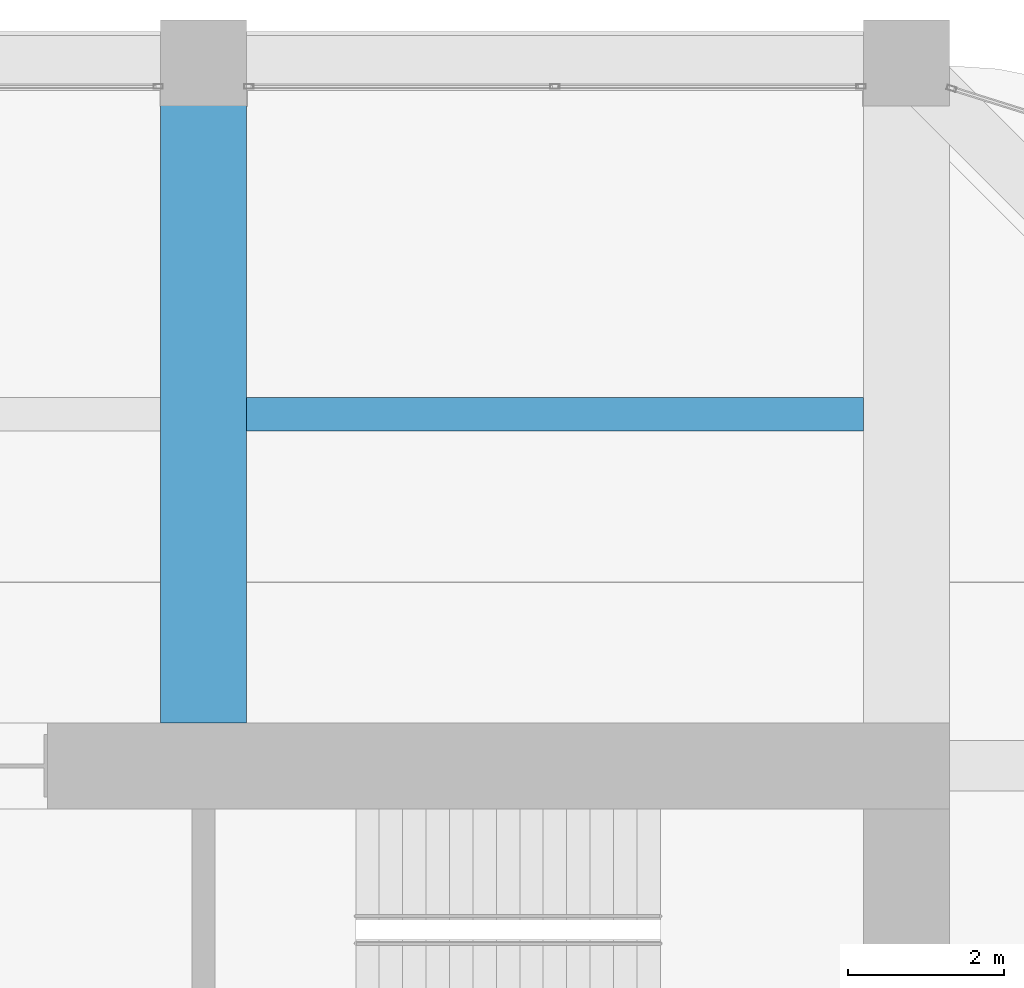
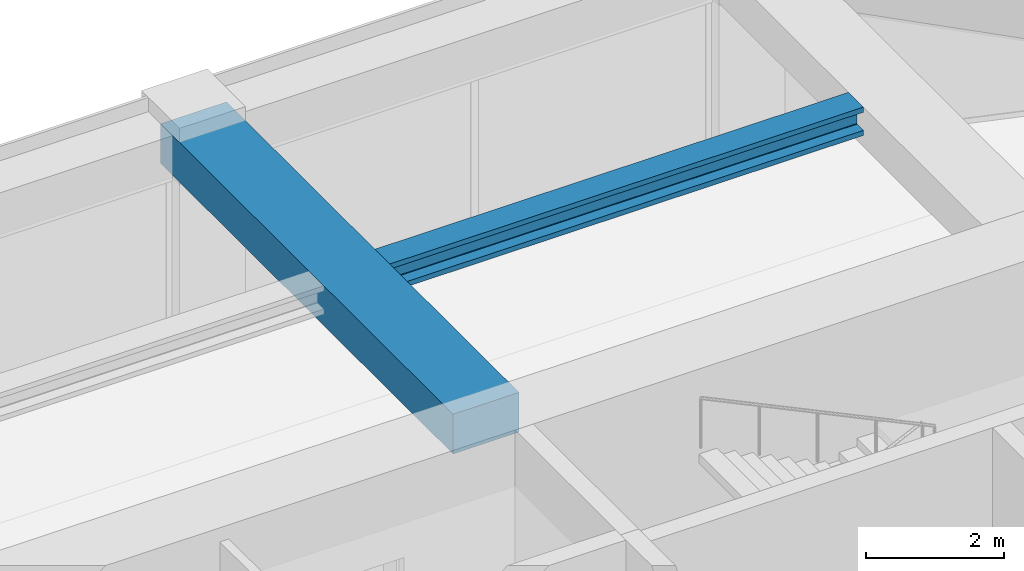
# One storey, part 34 of 45: 2 beams.
"""IFC4 building model written with IfcOpenShell, lengths in metres."""

import ifcopenshell
import ifcopenshell.guid

model = None  # the IFC model being written
_history = None  # IfcOwnerHistory: only IFC2X3 demands one
_inside = {}  # id of a spatial element -> (the spatial element, [elements in it])
_under = {}  # id of a project, library or spatial element -> (it, [spatial elements below it])
_declared = {}  # id of a project -> (the project, [libraries it declares])
_typed = {}  # id of a type object -> (the type object, [elements of that type])
_made_of = {}  # id of a material, layer set ... -> (it, [elements and type objects made of it])


def new_model(schema):
    """Start an empty IFC model of exactly this schema.

    Asked for "IFC4X3", IfcOpenShell would pick the latest addendum, in which some entities
    have other attributes; the version numbers below select the first issue.
    IFC2X3 requires an IfcOwnerHistory on every rooted entity: one is made here for all.
    """
    global model, _history
    if schema == "IFC4X3":
        model = ifcopenshell.file(schema_version=(4, 3, 0, 0))
    else:
        model = ifcopenshell.file(schema=schema)
    _inside.clear()
    _under.clear()
    _declared.clear()
    _typed.clear()
    _made_of.clear()
    _history = None
    if model.schema == "IFC2X3":
        org = make("IfcOrganization", Name="unknown")
        user = make(
            "IfcPersonAndOrganization",
            ThePerson=make("IfcPerson", FamilyName="unknown"),
            TheOrganization=org,
        )
        app = make(
            "IfcApplication",
            ApplicationDeveloper=org,
            Version="unknown",
            ApplicationFullName="unknown",
            ApplicationIdentifier="unknown",
        )
        _history = make(
            "IfcOwnerHistory",
            OwningUser=user,
            OwningApplication=app,
            ChangeAction="ADDED",
            CreationDate=0,
        )
    return model


def make(cls, **values):
    """One entity of the class cls with the attributes given. An attribute that is None is left unset."""
    return model.create_entity(
        cls, **{name: value for name, value in values.items() if value is not None}
    )


def rooted(cls, **values):
    """An entity with a GlobalId (a new one), such as an element, a storey or a relation."""
    return make(cls, GlobalId=ifcopenshell.guid.new(), OwnerHistory=_history, **values)


def si_unit(unit_type, name, prefix=None):
    """IfcSIUnit, for example si_unit("LENGTHUNIT", "METRE", prefix="MILLI")."""
    return make("IfcSIUnit", UnitType=unit_type, Prefix=prefix, Name=name)


def assignment(units):
    """IfcUnitAssignment: the units of a project."""
    return None if units is None else make("IfcUnitAssignment", Units=units)


def point(xyz):
    """IfcCartesianPoint."""
    return None if xyz is None else make("IfcCartesianPoint", Coordinates=xyz)


def direction(xyz):
    """IfcDirection."""
    return None if xyz is None else make("IfcDirection", DirectionRatios=xyz)


def frame(location, z_axis=None, x_axis=None):
    """IfcAxis2Placement3D, a coordinate frame: its origin and axes. An axis left out is left unset."""
    return make(
        "IfcAxis2Placement3D",
        Location=point(location),
        Axis=direction(z_axis),
        RefDirection=direction(x_axis),
    )


def frame_2d(location, x_axis=None):
    """IfcAxis2Placement2D, a coordinate frame in the plane: its origin and x axis."""
    return make(
        "IfcAxis2Placement2D", Location=point(location), RefDirection=direction(x_axis)
    )


def origin():
    """The frame at (0, 0, 0) with its axes left unset."""
    return frame((0.0, 0.0, 0.0))


def origin_2d():
    """The frame at (0, 0) in the plane with its x axis left unset."""
    return frame_2d((0.0, 0.0))


def place(relative_to, where):
    """IfcLocalPlacement: puts the frame where relative to a parent placement (None: the world)."""
    return make(
        "IfcLocalPlacement", PlacementRelTo=relative_to, RelativePlacement=where
    )


def context(
    kind, dimensions, precision=None, world=None, true_north=None, identifier=None
):
    """IfcGeometricRepresentationContext, for example the 3D "Model" context."""
    return make(
        "IfcGeometricRepresentationContext",
        ContextIdentifier=identifier,
        ContextType=kind,
        CoordinateSpaceDimension=dimensions,
        Precision=precision,
        WorldCoordinateSystem=world,
        TrueNorth=true_north,
    )


def subcontext(parent, identifier, kind, view, scale=None):
    """IfcGeometricRepresentationSubContext, for example "Body" below "Model"."""
    return make(
        "IfcGeometricRepresentationSubContext",
        ContextIdentifier=identifier,
        ContextType=kind,
        ParentContext=parent,
        TargetScale=scale,
        TargetView=view,
    )


def project(units=None, contexts=None):
    """IfcProject with its units and contexts."""
    return rooted(
        "IfcProject",
        Name="project",
        RepresentationContexts=contexts,
        UnitsInContext=assignment(units),
    )


def spatial(cls, under=None, at=None, **own):
    """A site, building, storey or space (cls), placed at a placement, below another one or the project."""
    s = rooted(cls, ObjectPlacement=at, **own)
    if under is not None:
        _under.setdefault(under.id(), (under, []))[1].append(s)
    return s


def profile(cls, at=None, kind="AREA", **sizes):
    """A parametric profile (cls). Its sizes go by their IFC names, for example OverallWidth=200.0."""
    return make(cls, ProfileType=kind, Position=at, **sizes)


def rectangle(**sizes):
    """IfcRectangleProfileDef."""
    return profile("IfcRectangleProfileDef", **sizes)


def i_section(**sizes):
    """IfcIShapeProfileDef."""
    return profile("IfcIShapeProfileDef", **sizes)


def extrude(swept, where, along, depth):
    """IfcExtrudedAreaSolid: the profile swept, set in the frame where, extruded along a direction by depth."""
    return make(
        "IfcExtrudedAreaSolid",
        SweptArea=swept,
        Position=where,
        ExtrudedDirection=direction(along),
        Depth=depth,
    )


def shape(context_of_items, identifier, shape_type, items):
    """IfcShapeRepresentation: the items that make up one representation, for example the "Body"."""
    return make(
        "IfcShapeRepresentation",
        ContextOfItems=context_of_items,
        RepresentationIdentifier=identifier,
        RepresentationType=shape_type,
        Items=items,
    )


def material(Name=None, Category=None):
    """IfcMaterial."""
    return make("IfcMaterial", Name=Name, Category=Category)


def material_profile(
    of_material, cross_section, Name=None, Category=None, Priority=None
):
    """IfcMaterialProfile: a cross section and its material."""
    return make(
        "IfcMaterialProfile",
        Name=Name,
        Material=of_material,
        Profile=cross_section,
        Priority=Priority,
        Category=Category,
    )


def profile_set(profiles, Name=None, composite=None):
    """IfcMaterialProfileSet."""
    return make(
        "IfcMaterialProfileSet",
        Name=Name,
        MaterialProfiles=profiles,
        CompositeProfile=composite,
    )


def made_of(thing, what):
    """Note that an element or type object is made of a material, layer set ...; save() writes the relation."""
    if what is not None:
        _made_of.setdefault(what.id(), (what, []))[1].append(thing)
    return thing


def type_object(cls, material=None, **own):
    """A type object (cls), such as IfcWallType, which elements share."""
    return made_of(rooted(cls, **own), material)


def element(
    cls,
    number,
    at=None,
    inside=None,
    cuts=None,
    type_object=None,
    material=None,
    context=None,
    identifier="Body",
    shape_type=None,
    held_by="IfcProductDefinitionShape",
    body=None,
    shapes=None,
    **own,
):
    """One element of the class cls, such as IfcWall. Its Tag is "e" and its number.

    at: its placement. inside: the storey or other place that contains it. cuts: it is an
    opening in that element (IfcRelVoidsElement). A single representation is given by context,
    identifier, shape_type and body (its items); several are given by shapes. held_by: the class
    of the entity that holds the representations. save() writes the other relations.
    """
    e = rooted(cls, Tag="e%d" % number, ObjectPlacement=at, **own)
    if body is not None:
        shapes = [shape(context, identifier, shape_type, body)]
    if shapes is not None:
        e.Representation = make(held_by, Representations=shapes)
    if inside is not None:
        _inside.setdefault(inside.id(), (inside, []))[1].append(e)
    if cuts is not None:
        rooted(
            "IfcRelVoidsElement", RelatingBuildingElement=cuts, RelatedOpeningElement=e
        )
    if type_object is not None:
        _typed.setdefault(type_object.id(), (type_object, []))[1].append(e)
    return made_of(e, material)


def aggregate(whole, parts):
    """IfcRelAggregates: a whole, such as a stair, and the parts it consists of."""
    return rooted("IfcRelAggregates", RelatingObject=whole, RelatedObjects=parts)


def save(model, path):
    """Write the relations noted so far, then the file.

    IfcRelAggregates (storeys below a building ...), IfcRelContainedInSpatialStructure (elements
    in a storey), IfcRelDefinesByType, IfcRelAssociatesMaterial and IfcRelDeclares: one each for
    every whole, place, type object, material and project.
    """
    for whole, parts in _under.values():
        aggregate(whole, parts)
    for where, things in _inside.values():
        rooted(
            "IfcRelContainedInSpatialStructure",
            RelatedElements=things,
            RelatingStructure=where,
        )
    for kind, things in _typed.values():
        rooted("IfcRelDefinesByType", RelatedObjects=things, RelatingType=kind)
    for what, things in _made_of.values():
        rooted("IfcRelAssociatesMaterial", RelatedObjects=things, RelatingMaterial=what)
    for by, libraries in _declared.values():
        rooted("IfcRelDeclares", RelatingContext=by, RelatedDefinitions=libraries)
    model.write(path)


model = new_model("IFC4")

# Units and contexts
model_context = context("Model", 3, precision=1e-05, world=origin(), true_north=direction((0.0, 1.0)))
body_context = subcontext(model_context, "Body", "Model", "MODEL_VIEW")
ifc_project = project(units=[si_unit("LENGTHUNIT", "METRE"), si_unit("AREAUNIT", "SQUARE_METRE"), si_unit("VOLUMEUNIT", "CUBIC_METRE"), si_unit("PLANEANGLEUNIT", "RADIAN"), si_unit("MASSUNIT", "GRAM", prefix="KILO")], contexts=[model_context])

# Site, building, storey
site_placement = place(None, origin())
site = spatial("IfcSite", under=ifc_project, at=site_placement, CompositionType="ELEMENT")
building_placement = place(site_placement, origin())
building = spatial("IfcBuilding", under=site, at=building_placement, Name="Zorevar Civic Tower", CompositionType="ELEMENT")
storey_placement = place(building_placement, frame((0.0, 0.0, 303.39990234375)))
storey = spatial("IfcBuildingStorey", under=building, at=storey_placement, Name="L74", CompositionType="ELEMENT", Elevation=303.39990234375)

# Beams
ifc_material_1 = material(Name="Concrete C50/60", Category="concrete")
ifc_material_profile_1 = material_profile(ifc_material_1, rectangle(XDim=1.10009765625, YDim=0.699951171875, at=origin_2d()), Name="RC 1100x700")
ifc_profile_set_1 = profile_set([ifc_material_profile_1], Name="Concrete C50/60")
beam_type_1 = type_object("IfcBeamType", Name="Beam RC 1100x700", PredefinedType="BEAM", material=ifc_profile_set_1)
beam_1_placement = place(storey_placement, frame((36.0, 36.550048828125, 3.400146484375), z_axis=(0.0, 1.0, 0.0), x_axis=(-1.0, 0.0, 0.0)))
element("IfcBeam", 1, at=beam_1_placement, inside=storey, type_object=beam_type_1, Name="Girder L75", PredefinedType="BEAM", context=body_context, shape_type="SweptSolid", body=[
    extrude(rectangle(XDim=1.10009765625, YDim=0.699951171875, at=origin_2d()), origin(), (0.0, 0.0, 1.0), 8.449951171875),
])
ifc_material_2 = material(Name="Steel S460M (HISTAR 460)", Category="steel")
ifc_material_profile_2 = material_profile(ifc_material_2, i_section(OverallWidth=0.431884765625, OverallDepth=0.498046875, WebThickness=0.0556640625, FlangeThickness=0.0888671875, FilletRadius=0.014892578125, at=origin_2d()), Name="HD 400x744")
ifc_profile_set_2 = profile_set([ifc_material_profile_2], Name="Steel S460M (HISTAR 460)")
beam_type_2 = type_object("IfcBeamType", Name="Core bay beam HD 400x744", PredefinedType="BEAM", material=ifc_profile_set_2)
beam_2_placement = place(storey_placement, frame((36.550048828125, 40.5, 3.5009765625), z_axis=(1.0, 0.0, 0.0), x_axis=(0.0, 1.0, 0.0)))
element("IfcBeam", 2, at=beam_2_placement, inside=storey, type_object=beam_type_2, Name="Secondary beam L75", PredefinedType="BEAM", context=body_context, shape_type="SweptSolid", body=[
    extrude(i_section(OverallWidth=0.431884765625, OverallDepth=0.498046875, WebThickness=0.0556640625, FlangeThickness=0.0888671875, FilletRadius=0.014892578125, at=origin_2d()), origin(), (0.0, 0.0, 1.0), 7.89990234375),
])

save(model, "model.ifc")
